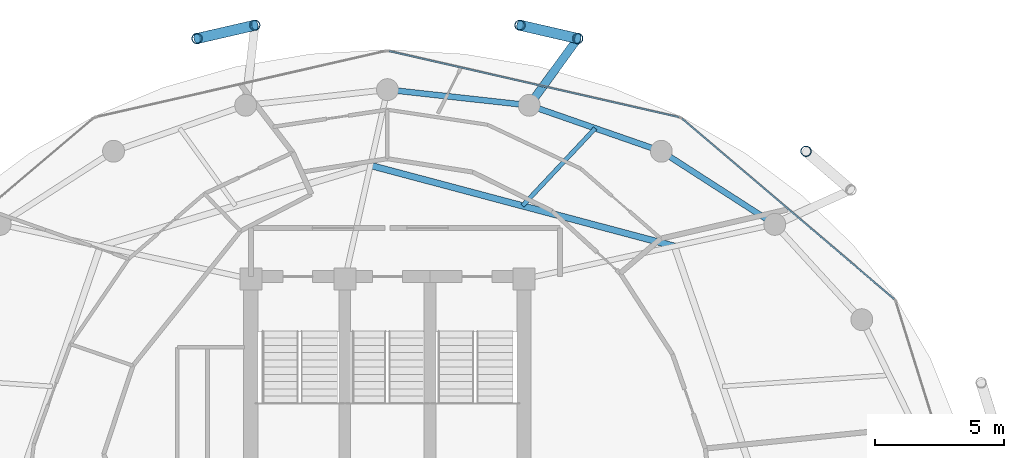
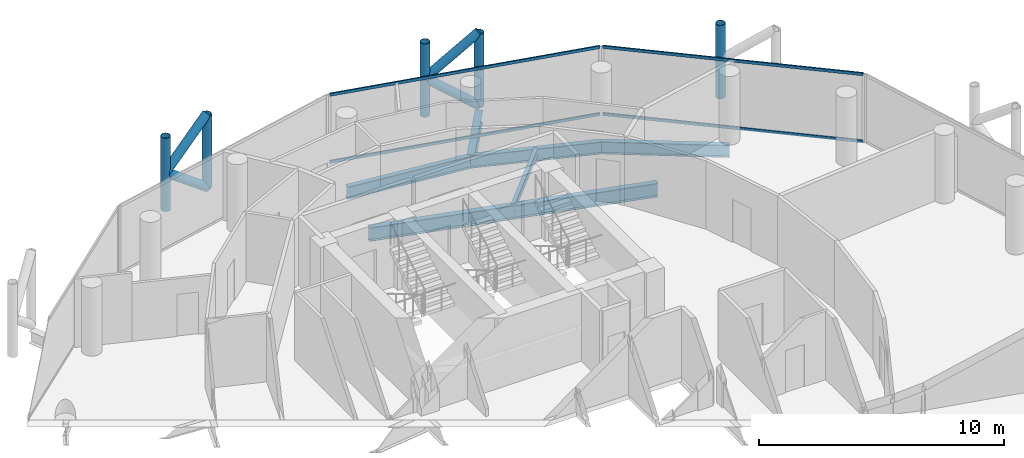
# One storey, part 20 of 27: 13 members, 6 beams, 2 elements without a shape of their own.
"""IFC4 building model written with IfcOpenShell, lengths in metres."""

from ifc_helpers import new_model, si_unit, direction, frame, origin, origin_2d, place, context, subcontext, project, spatial, hollow_rectangle, hollow_circle, i_section, extrude, material, layer, layer_set, material_profile, profile_set, type_object, element, aggregate, save


model = new_model("IFC4")

# Units and contexts
model_context = context("Model", 3, precision=1e-05, world=origin(), true_north=direction((0.0, 1.0)))
body_context = subcontext(model_context, "Body", "Model", "MODEL_VIEW")
ifc_project = project(units=[si_unit("LENGTHUNIT", "METRE"), si_unit("AREAUNIT", "SQUARE_METRE"), si_unit("VOLUMEUNIT", "CUBIC_METRE"), si_unit("PLANEANGLEUNIT", "RADIAN"), si_unit("MASSUNIT", "GRAM", prefix="KILO")], contexts=[model_context])

# Site, building, storey
site_placement = place(None, origin())
site = spatial("IfcSite", under=ifc_project, at=site_placement, CompositionType="ELEMENT")
building_placement = place(site_placement, origin())
building = spatial("IfcBuilding", under=site, at=building_placement, Name="Nuhasar Tower", CompositionType="ELEMENT")
storey_placement = place(building_placement, frame((0.0, 0.0, 215.449951171875)))
storey = spatial("IfcBuildingStorey", under=building, at=storey_placement, Name="L52", CompositionType="ELEMENT", Elevation=215.449951171875)

# Beams
ifc_material_1 = material(Name="Steel S355", Category="steel")
ifc_material_profile_1 = material_profile(ifc_material_1, i_section(OverallWidth=0.25390625, OverallDepth=0.68408203125, WebThickness=0.012451171875, FlangeThickness=0.018798828125, at=origin_2d()), Name="W27X94")
ifc_profile_set_1 = profile_set([ifc_material_profile_1], Name="Steel S355")
beam_type_1 = type_object("IfcBeamType", Name="BM-INRING-W27X94", PredefinedType="BEAM", material=ifc_profile_set_1)
beam_1_placement = place(storey_placement, frame((50.135986328125, 38.572998046875, -0.58203125), z_axis=(-0.966410333243, 0.257004022929, 0.0), x_axis=(-0.257004022929, -0.966410333243, 0.0)))
element("IfcBeam", 1, at=beam_1_placement, inside=storey, type_object=beam_type_1, Name="L52 Inner Header Beam 05", PredefinedType="BEAM", context=body_context, shape_type="SweptSolid", body=[
    extrude(i_section(OverallWidth=0.25390625, OverallDepth=0.68408203125, WebThickness=0.012451171875, FlangeThickness=0.018798828125, at=origin_2d()), origin(), (0.0, 0.0, 1.0), 12.205810546875),
])
ifc_material_profile_2 = material_profile(ifc_material_1, i_section(OverallWidth=0.1708984375, OverallDepth=0.35205078125, WebThickness=0.0068359375, FlangeThickness=0.009765625, at=origin_2d()), Name="W14X30")
ifc_profile_set_2 = profile_set([ifc_material_profile_2], Name="Steel S355")
beam_type_2 = type_object("IfcBeamType", Name="BM-JST-W14X30", PredefinedType="JOIST", material=ifc_profile_set_2)
beam_2_placement = place(storey_placement, frame((44.238037109375, 40.14208984375, -0.416015625), z_axis=(0.684358245116, 0.729145933501, 0.0), x_axis=(-0.729145933501, 0.684358245116, 0.0)))
element("IfcBeam", 2, at=beam_2_placement, inside=storey, type_object=beam_type_2, Name="L52 Secondary Floor Joist 05", PredefinedType="JOIST", context=body_context, shape_type="SweptSolid", body=[
    extrude(i_section(OverallWidth=0.1708984375, OverallDepth=0.35205078125, WebThickness=0.0068359375, FlangeThickness=0.009765625, at=origin_2d()), origin(), (0.0, 0.0, 1.0), 4.12646484375),
])
ifc_material_profile_3 = material_profile(ifc_material_1, i_section(OverallWidth=0.22802734375, OverallDepth=0.60791015625, WebThickness=0.01123046875, FlangeThickness=0.017333984375, at=origin_2d()), Name="W24X76")
ifc_profile_set_3 = profile_set([ifc_material_profile_3], Name="Steel S355")
beam_type_3 = type_object("IfcBeamType", Name="BM-RING-W24X76", PredefinedType="SPANDREL", material=ifc_profile_set_3)
beam_3_placement = place(storey_placement, frame((54.02587890625, 39.422119140625, -0.5439453125), z_axis=(-0.840502144969, 0.541808217272, 0.0), x_axis=(-0.541808217272, -0.840502144969, 0.0)))
element("IfcBeam", 3, at=beam_3_placement, inside=storey, type_object=beam_type_3, Name="L52 Perimeter Ring Spandrel 04", PredefinedType="SPANDREL", context=body_context, shape_type="SweptSolid", body=[
    extrude(i_section(OverallWidth=0.22802734375, OverallDepth=0.60791015625, WebThickness=0.01123046875, FlangeThickness=0.017333984375, at=origin_2d()), origin(), (0.0, 0.0, 1.0), 5.236083984375),
])
beam_4_placement = place(storey_placement, frame((49.625, 42.259033203125, -0.5439453125), z_axis=(-0.944476764686, 0.328578211342, 0.0), x_axis=(-0.328578211342, -0.944476764686, 0.0)))
element("IfcBeam", 4, at=beam_4_placement, inside=storey, type_object=beam_type_3, Name="L52 Perimeter Ring Spandrel 05", PredefinedType="SPANDREL", context=body_context, shape_type="SweptSolid", body=[
    extrude(i_section(OverallWidth=0.22802734375, OverallDepth=0.60791015625, WebThickness=0.01123046875, FlangeThickness=0.017333984375, at=origin_2d()), origin(), (0.0, 0.0, 1.0), 5.42626953125),
])
beam_5_placement = place(storey_placement, frame((44.5, 44.0419921875, -0.5439453125), z_axis=(-0.993947060915, 0.109860093292, 0.0), x_axis=(-0.109860093292, -0.993947060915, 0.0)))
element("IfcBeam", 5, at=beam_5_placement, inside=storey, type_object=beam_type_3, Name="L52 Perimeter Ring Spandrel 06", PredefinedType="SPANDREL", context=body_context, shape_type="SweptSolid", body=[
    extrude(i_section(OverallWidth=0.22802734375, OverallDepth=0.60791015625, WebThickness=0.01123046875, FlangeThickness=0.017333984375, at=origin_2d()), origin(), (0.0, 0.0, 1.0), 5.533447265625),
])
ifc_material_profile_4 = material_profile(ifc_material_1, i_section(OverallWidth=0.323974609375, OverallDepth=0.611083984375, WebThickness=0.0126953125, FlangeThickness=0.01904296875, at=origin_2d()), Name="W24X104")
ifc_profile_set_4 = profile_set([ifc_material_profile_4], Name="Steel S355")
beam_type_4 = type_object("IfcBeamType", Name="BM-TIE-W24X104", PredefinedType="BEAM", material=ifc_profile_set_4)
beam_6_placement = place(storey_placement, frame((44.5, 44.0419921875, -0.544921875), z_axis=(0.588094663461, 0.808792103577, 0.0), x_axis=(-0.808792103577, 0.588094663461, 0.0)))
element("IfcBeam", 6, at=beam_6_placement, inside=storey, type_object=beam_type_4, Name="L52 Exoskeleton Node Tie Beam 03", PredefinedType="BEAM", context=body_context, shape_type="SweptSolid", body=[
    extrude(i_section(OverallWidth=0.323974609375, OverallDepth=0.611083984375, WebThickness=0.0126953125, FlangeThickness=0.01904296875, at=origin_2d()), origin(), (0.0, 0.0, 1.0), 3.20361328125),
])

# Curtain wall, members
ifc_material_2 = material(Name="Aluminium 6063-T6", Category="aluminium")
ifc_layer = layer(ifc_material_2, 0.18994140625)
ifc_layer_set = layer_set([ifc_layer], Name="Aluminium 6063-T6")
curtain_wall_type = type_object("IfcCurtainWallType", Name="CW-Z3-RES", PredefinedType="NOTDEFINED", material=ifc_layer_set)
curtain_wall_1_placement = place(storey_placement, origin())
curtain_wall_1 = element("IfcCurtainWall", 7, at=curtain_wall_1_placement, inside=storey, type_object=curtain_wall_type, Name="L52 Unitised Curtain Wall 02", PredefinedType="NOTDEFINED")
ifc_material_profile_5 = material_profile(ifc_material_2, hollow_rectangle(XDim=0.06494140625, YDim=0.139892578125, WallThickness=0.00439453125, at=origin_2d()), Name="CWT-4")
ifc_profile_set_5 = profile_set([ifc_material_profile_5], Name="Aluminium 6063-T6")
member_type_1 = type_object("IfcMemberType", Name="CW-TRN-S4", PredefinedType="USERDEFINED", material=ifc_profile_set_5)
member_1_placement = place(storey_placement, frame((58.661376953125, 36.522216796875, 0.032470703125), z_axis=(-0.761730809511, 0.647893643928, 0.0), x_axis=(-0.647893643928, -0.761730809511, 0.0)))
member_1 = element("IfcMember", 8, at=member_1_placement, type_object=member_type_1, Name="CW-Z3 transom 1.1", ObjectType="TRANSOM", PredefinedType="USERDEFINED", context=body_context, shape_type="SweptSolid", body=[
    extrude(hollow_rectangle(XDim=0.06494140625, YDim=0.139892578125, WallThickness=0.00439453125, at=origin_2d()), origin(), (0.0, 0.0, 1.0), 10.806884765625),
])
member_2_placement = place(storey_placement, frame((58.661376953125, 36.522216796875, 3.37744140625), z_axis=(-0.761730809511, 0.647893643928, 0.0), x_axis=(-0.647893643928, -0.761730809511, 0.0)))
member_2 = element("IfcMember", 9, at=member_2_placement, type_object=member_type_1, Name="CW-Z3 transom 1.2", ObjectType="TRANSOM", PredefinedType="USERDEFINED", context=body_context, shape_type="SweptSolid", body=[
    extrude(hollow_rectangle(XDim=0.06494140625, YDim=0.139892578125, WallThickness=0.00439453125, at=origin_2d()), origin(), (0.0, 0.0, 1.0), 10.806884765625),
])
aggregate(curtain_wall_1, [member_1, member_2])

curtain_wall_2_placement = place(storey_placement, origin())
curtain_wall_2 = element("IfcCurtainWall", 10, at=curtain_wall_2_placement, inside=storey, type_object=curtain_wall_type, Name="L52 Unitised Curtain Wall 03", PredefinedType="NOTDEFINED")
member_3_placement = place(storey_placement, frame((50.316650390625, 43.58056640625, 0.032470703125), z_axis=(-0.974994070913, 0.222230874732, 0.0), x_axis=(-0.222230874732, -0.974994070913, 0.0)))
member_3 = element("IfcMember", 11, at=member_3_placement, type_object=member_type_1, Name="CW-Z3 transom 1.1", ObjectType="TRANSOM", PredefinedType="USERDEFINED", context=body_context, shape_type="SweptSolid", body=[
    extrude(hollow_rectangle(XDim=0.06494140625, YDim=0.139892578125, WallThickness=0.00439453125, at=origin_2d()), origin(), (0.0, 0.0, 1.0), 11.541748046875),
])
member_4_placement = place(storey_placement, frame((50.316650390625, 43.58056640625, 3.37744140625), z_axis=(-0.974994070913, 0.222230874732, 0.0), x_axis=(-0.222230874732, -0.974994070913, 0.0)))
member_4 = element("IfcMember", 12, at=member_4_placement, type_object=member_type_1, Name="CW-Z3 transom 1.2", ObjectType="TRANSOM", PredefinedType="USERDEFINED", context=body_context, shape_type="SweptSolid", body=[
    extrude(hollow_rectangle(XDim=0.06494140625, YDim=0.139892578125, WallThickness=0.00439453125, at=origin_2d()), origin(), (0.0, 0.0, 1.0), 11.541748046875),
])
aggregate(curtain_wall_2, [member_3, member_4])

# Members
ifc_material_3 = material(Name="Steel S460", Category="steel")
ifc_material_profile_6 = material_profile(ifc_material_3, hollow_circle(Radius=0.203125, WallThickness=0.01904296875, at=origin_2d()), Name="HSS406.4X19.1")
ifc_profile_set_6 = profile_set([ifc_material_profile_6], Name="Steel S460")
member_type_2 = type_object("IfcMemberType", Name="EXO-BRONZE-406", PredefinedType="BRACE", material=ifc_profile_set_6)
for number, where, z_axis, x_axis, name in (
    (13, (55.239990234375, 42.257080078125, 0.0), (0.0, 0.0, 1.0), (1.0, 0.0, 0.0), "L52 Exoskeleton Chord Column EC-02B"),
    (14, (46.384033203125, 46.633056640625, 0.0), (0.0, 0.0, 1.0), (1.0, 0.0, 0.0), "L52 Exoskeleton Chord Column EC-03A"),
    (15, (44.14306640625, 47.14892578125, 0.0), (0.0, 0.0, 1.0), (1.0, 0.0, 0.0), "L52 Exoskeleton Chord Column EC-03B"),
    (16, (33.85693359375, 47.14892578125, 0.0), (0.0, 0.0, 1.0), (1.0, 0.0, 0.0), "L52 Exoskeleton Chord Column EC-04A"),
    (17, (31.615966796875, 46.633056640625, 0.0), (0.0, 0.0, 1.0), (1.0, 0.0, 0.0), "L52 Exoskeleton Chord Column EC-04B"),
):
    element("IfcMember", number, at=place(storey_placement, frame(where, z_axis=z_axis, x_axis=x_axis)), inside=storey, type_object=member_type_2, Name=name, PredefinedType="BRACE", context=body_context, shape_type="SweptSolid", body=[
        extrude(hollow_circle(Radius=0.203125, WallThickness=0.01904296875, at=origin_2d()), origin(), (0.0, 0.0, 1.0), 3.650146484375),
    ])
for number, where, z_axis, x_axis, name in (
    (18, (46.384033203125, 46.633056640625, 0.0), (-0.763342741922, 0.175721016852, 0.621634927101), (-0.224332214284, -0.974512728308, 0.0), "L52 Bronze Diagrid Brace W1-03"),
    (19, (44.14306640625, 47.14892578125, 1.824951171875), (0.763303280332, -0.175711932819, 0.621685948771), (0.224332214284, 0.974512728308, 0.0), "L52 Bronze Diagrid Brace W2-03"),
    (20, (33.85693359375, 47.14892578125, 0.0), (-0.763342741922, -0.175721016852, 0.621634927101), (0.224332214284, -0.974512728308, 0.0), "L52 Bronze Diagrid Brace W1-04"),
    (21, (31.615966796875, 46.633056640625, 1.824951171875), (0.763303280332, 0.175711932819, 0.621685948771), (-0.224332214284, 0.974512728308, 0.0), "L52 Bronze Diagrid Brace W2-04"),
):
    element("IfcMember", number, at=place(storey_placement, frame(where, z_axis=z_axis, x_axis=x_axis)), inside=storey, type_object=member_type_2, Name=name, PredefinedType="BRACE", context=body_context, shape_type="SweptSolid", body=[
        extrude(hollow_circle(Radius=0.203125, WallThickness=0.01904296875, at=origin_2d()), origin(), (0.0, 0.0, 1.0), 2.935791015625),
    ])

save(model, "model.ifc")
